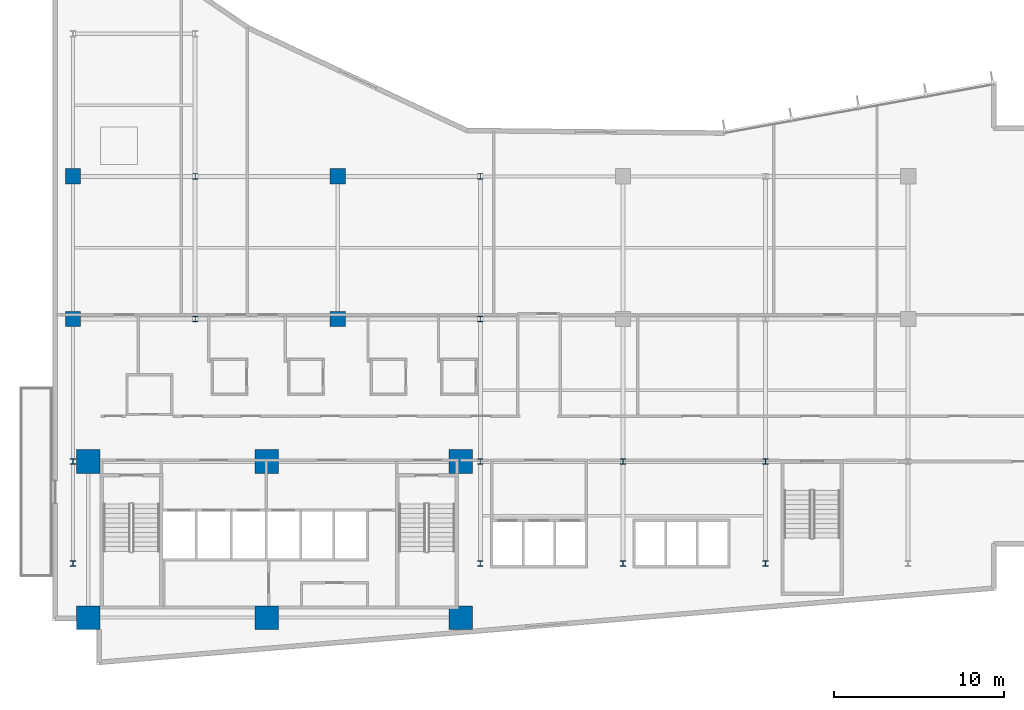
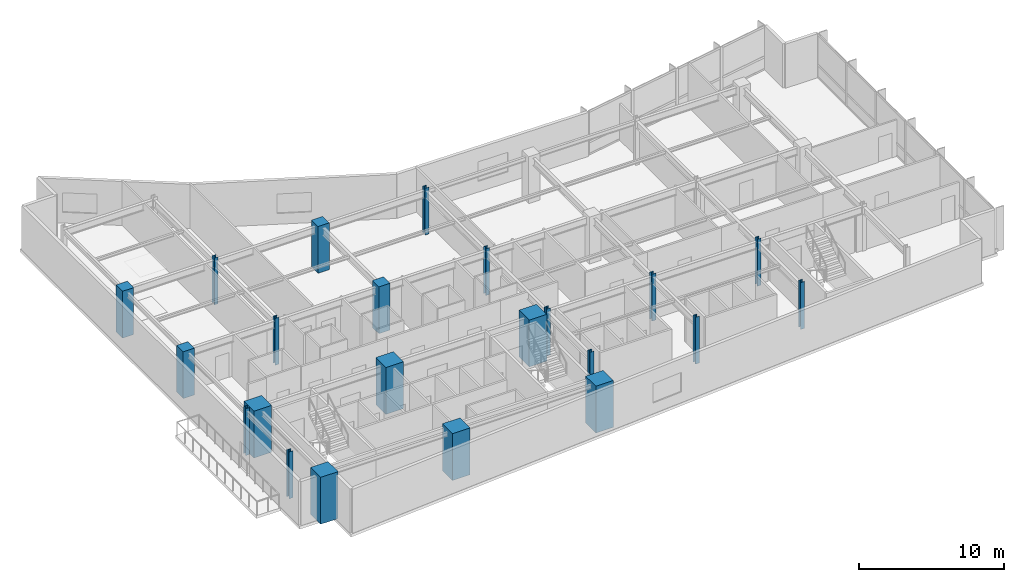
# One storey, part 1 of 21: 22 columns.
"""IFC4 building model written with IfcOpenShell, lengths in metres."""

from ifc_helpers import new_model, si_unit, direction, frame, origin, origin_2d, place, context, subcontext, project, spatial, rectangle, i_section, extrude, material, material_profile, profile_set, type_object, element, save


model = new_model("IFC4")

# Units and contexts
model_context = context("Model", 3, precision=1e-05, world=origin(), true_north=direction((0.0, 1.0)))
body_context = subcontext(model_context, "Body", "Model", "MODEL_VIEW")
ifc_project = project(units=[si_unit("LENGTHUNIT", "METRE"), si_unit("AREAUNIT", "SQUARE_METRE"), si_unit("VOLUMEUNIT", "CUBIC_METRE"), si_unit("PLANEANGLEUNIT", "RADIAN"), si_unit("MASSUNIT", "GRAM", prefix="KILO")], contexts=[model_context])

# Site, building, storey
site_placement = place(None, origin())
site = spatial("IfcSite", under=ifc_project, at=site_placement, CompositionType="ELEMENT")
building_placement = place(site_placement, origin())
building = spatial("IfcBuilding", under=site, at=building_placement, Name="Varnakote Quay Hospital", CompositionType="ELEMENT")
storey_placement = place(building_placement, frame((0.0, 0.0, 77.800048828125)))
storey = spatial("IfcBuildingStorey", under=building, at=storey_placement, Name="L19", CompositionType="ELEMENT", Elevation=77.800048828125)

# Columns
ifc_material_1 = material(Name="Concrete N80 (f'c 80 MPa)", Category="concrete")
ifc_material_profile_1 = material_profile(ifc_material_1, rectangle(XDim=1.39990234375, YDim=1.39990234375, at=origin_2d()), Name="RC-COL-1400x1400")
ifc_profile_set_1 = profile_set([ifc_material_profile_1], Name="Concrete N80 (f'c 80 MPa)")
column_type_1 = type_object("IfcColumnType", Name="COL-RC-1400", PredefinedType="COLUMN", material=ifc_profile_set_1)
for number, where, z_axis, x_axis, name in (
    (1, (2.10009765625, 2.800048828125, 0.0), (0.0, 0.0, 1.0), (1.0, 0.0, 0.0), "L19 Structural Column C-2-3"),
    (2, (12.6201171875, 2.800048828125, 0.0), (0.0, 0.0, 1.0), (1.0, 0.0, 0.0), "L19 Structural Column C-13-3"),
    (3, (24.050048828125, 2.800048828125, 0.0), (0.0, 0.0, 1.0), (1.0, 0.0, 0.0), "L19 Structural Column C-24-3"),
    (4, (2.10009765625, 12.0, 0.0), (0.0, 0.0, 1.0), (1.0, 0.0, 0.0), "L19 Structural Column C-2-12"),
    (5, (12.6201171875, 12.0, 0.0), (0.0, 0.0, 1.0), (1.0, 0.0, 0.0), "L19 Structural Column C-13-12"),
    (6, (24.050048828125, 12.0, 0.0), (0.0, 0.0, 1.0), (1.0, 0.0, 0.0), "L19 Structural Column C-24-12"),
):
    element("IfcColumn", number, at=place(storey_placement, frame(where, z_axis=z_axis, x_axis=x_axis)), inside=storey, type_object=column_type_1, Name=name, PredefinedType="COLUMN", context=body_context, shape_type="SweptSolid", body=[
        extrude(rectangle(XDim=1.39990234375, YDim=1.39990234375, at=origin_2d()), origin(), (0.0, 0.0, 1.0), 3.949951171875),
    ])
ifc_material_2 = material(Name="Concrete N50 (f'c 50 MPa)", Category="concrete")
ifc_material_profile_2 = material_profile(ifc_material_2, rectangle(XDim=0.89990234375, YDim=0.89990234375, at=origin_2d()), Name="RC-COL-900x900")
ifc_profile_set_2 = profile_set([ifc_material_profile_2], Name="Concrete N50 (f'c 50 MPa)")
column_type_2 = type_object("IfcColumnType", Name="COL-RC-900", PredefinedType="COLUMN", material=ifc_profile_set_2)
for number, where, z_axis, x_axis, name in (
    (7, (1.199951171875, 20.39990234375, 0.0), (0.0, 0.0, 1.0), (1.0, 0.0, 0.0), "L19 Structural Column C-1-20"),
    (8, (16.800048828125, 20.39990234375, 0.0), (0.0, 0.0, 1.0), (1.0, 0.0, 0.0), "L19 Structural Column C-17-20"),
    (9, (1.199951171875, 28.800048828125, 0.0), (0.0, 0.0, 1.0), (1.0, 0.0, 0.0), "L19 Structural Column C-1-29"),
    (10, (16.800048828125, 28.800048828125, 0.0), (0.0, 0.0, 1.0), (1.0, 0.0, 0.0), "L19 Structural Column C-17-29"),
):
    element("IfcColumn", number, at=place(storey_placement, frame(where, z_axis=z_axis, x_axis=x_axis)), inside=storey, type_object=column_type_2, Name=name, PredefinedType="COLUMN", context=body_context, shape_type="SweptSolid", body=[
        extrude(rectangle(XDim=0.89990234375, YDim=0.89990234375, at=origin_2d()), origin(), (0.0, 0.0, 1.0), 3.949951171875),
    ])
ifc_material_3 = material(Name="Structural steel AS/NZS 3679.1 Grade 350 L0 (fy 340 MPa)", Category="steel")
ifc_material_profile_3 = material_profile(ifc_material_3, i_section(OverallWidth=0.31103515625, OverallDepth=0.326904296875, WebThickness=0.015625, FlangeThickness=0.02490234375, FilletRadius=0.0166015625, at=origin_2d()), Name="310UC158")
ifc_profile_set_3 = profile_set([ifc_material_profile_3], Name="Structural steel AS/NZS 3679.1 Grade 350 L0 (fy 340 MPa)")
column_type_3 = type_object("IfcColumnType", Name="COL-STL-310UC158", PredefinedType="COLUMN", material=ifc_profile_set_3)
for number, where, z_axis, x_axis, name in (
    (11, (1.199951171875, 6.0, 0.0), (0.0, 0.0, 1.0), (1.0, 0.0, 0.0), "L19 Structural Column C-1-6"),
    (12, (25.199951171875, 6.0, 0.0), (0.0, 0.0, 1.0), (1.0, 0.0, 0.0), "L19 Structural Column C-25-6"),
    (13, (33.60009765625, 6.0, 0.0), (0.0, 0.0, 1.0), (1.0, 0.0, 0.0), "L19 Structural Column C-34-6"),
    (14, (42.0, 6.0, 0.0), (0.0, 0.0, 1.0), (1.0, 0.0, 0.0), "L19 Structural Column C-42-6"),
    (15, (1.199951171875, 12.0, 0.0), (0.0, 0.0, 1.0), (1.0, 0.0, 0.0), "L19 Structural Column C-1-12"),
    (16, (25.199951171875, 12.0, 0.0), (0.0, 0.0, 1.0), (1.0, 0.0, 0.0), "L19 Structural Column C-25-12"),
    (17, (33.60009765625, 12.0, 0.0), (0.0, 0.0, 1.0), (1.0, 0.0, 0.0), "L19 Structural Column C-34-12"),
    (18, (42.0, 12.0, 0.0), (0.0, 0.0, 1.0), (1.0, 0.0, 0.0), "L19 Structural Column C-42-12"),
    (19, (8.39990234375, 20.39990234375, 0.0), (0.0, 0.0, 1.0), (1.0, 0.0, 0.0), "L19 Structural Column C-8-20"),
    (20, (25.199951171875, 20.39990234375, 0.0), (0.0, 0.0, 1.0), (1.0, 0.0, 0.0), "L19 Structural Column C-25-20"),
    (21, (8.39990234375, 28.800048828125, 0.0), (0.0, 0.0, 1.0), (1.0, 0.0, 0.0), "L19 Structural Column C-8-29"),
    (22, (25.199951171875, 28.800048828125, 0.0), (0.0, 0.0, 1.0), (1.0, 0.0, 0.0), "L19 Structural Column C-25-29"),
):
    element("IfcColumn", number, at=place(storey_placement, frame(where, z_axis=z_axis, x_axis=x_axis)), inside=storey, type_object=column_type_3, Name=name, PredefinedType="COLUMN", context=body_context, shape_type="SweptSolid", body=[
        extrude(i_section(OverallWidth=0.31103515625, OverallDepth=0.326904296875, WebThickness=0.015625, FlangeThickness=0.02490234375, FilletRadius=0.0166015625, at=origin_2d()), origin(), (0.0, 0.0, 1.0), 3.949951171875),
    ])

save(model, "model.ifc")
